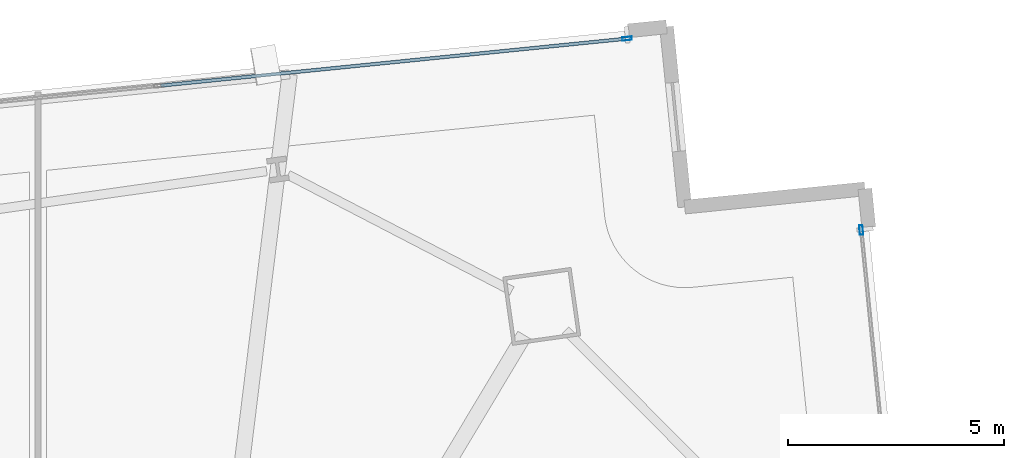
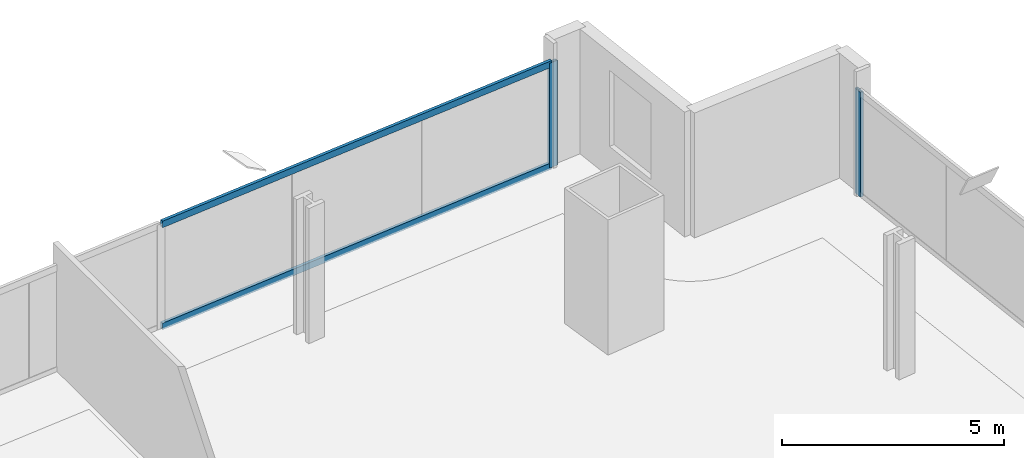
# One storey, part 23 of 33: 4 members, 2 elements without a shape of their own.
"""IFC4 building model written with IfcOpenShell, lengths in metres."""

from ifc_helpers import new_model, si_unit, direction, frame, origin, origin_2d, place, context, subcontext, project, spatial, hollow_rectangle, extrude, material, material_profile, profile_set, type_object, element, aggregate, save


model = new_model("IFC4")

# Units and contexts
model_context = context("Model", 3, precision=1e-05, world=origin(), true_north=direction((0.0, 1.0)))
body_context = subcontext(model_context, "Body", "Model", "MODEL_VIEW")
ifc_project = project(units=[si_unit("LENGTHUNIT", "METRE"), si_unit("AREAUNIT", "SQUARE_METRE"), si_unit("VOLUMEUNIT", "CUBIC_METRE"), si_unit("PLANEANGLEUNIT", "RADIAN"), si_unit("MASSUNIT", "GRAM", prefix="KILO")], contexts=[model_context])

# Site, building, storey
site_placement = place(None, origin())
site = spatial("IfcSite", under=ifc_project, at=site_placement, CompositionType="ELEMENT")
building_placement = place(site_placement, origin())
building = spatial("IfcBuilding", under=site, at=building_placement, Name="Haldenkirk Collegiate Tower", CompositionType="ELEMENT")
storey_placement = place(building_placement, frame((0.0, 0.0, 47.699951171875)))
storey = spatial("IfcBuildingStorey", under=building, at=storey_placement, Name="L10", CompositionType="ELEMENT", Elevation=47.699951171875)

# Curtain wall, member
ifc_material = material(Name="Anodised architectural bronze aluminium", Category="aluminium")
curtain_wall_type = type_object("IfcCurtainWallType", Name="CW-SYS1-CONVEX-LOW", PredefinedType="USERDEFINED", material=ifc_material)
curtain_wall_1_placement = place(storey_placement, origin())
curtain_wall_1 = element("IfcCurtainWall", 1, at=curtain_wall_1_placement, inside=storey, type_object=curtain_wall_type, Name="L10 Lower tower convex bronze-framed unitised curtain wall", ObjectType="UNITISED CURTAIN WALL", PredefinedType="USERDEFINED")
ifc_material_profile_1 = material_profile(ifc_material, hollow_rectangle(XDim=0.080078125, YDim=0.219970703125, WallThickness=0.0048828125, at=origin_2d()), Name="CW-MUL-1A")
ifc_profile_set_1 = profile_set([ifc_material_profile_1], Name="Anodised architectural bronze aluminium")
member_type_1 = type_object("IfcMemberType", Name="CW-MUL-1A", PredefinedType="MULLION", material=ifc_profile_set_1)
member_1_placement = place(storey_placement, frame((60.59521484375, 49.442138671875, 0.0), z_axis=(0.0, 0.0, 1.0), x_axis=(0.99496869257, 0.10018633043, 0.0)))
member_1 = element("IfcMember", 2, at=member_1_placement, type_object=member_type_1, Name="CW-1A mullion 1", PredefinedType="MULLION", context=body_context, shape_type="SweptSolid", body=[
    extrude(hollow_rectangle(XDim=0.080078125, YDim=0.219970703125, WallThickness=0.0048828125, at=origin_2d()), origin(), (0.0, 0.0, 1.0), 2.89111328125),
])
aggregate(curtain_wall_1, [member_1])

# Curtain wall, members
curtain_wall_2_placement = place(storey_placement, origin())
curtain_wall_2 = element("IfcCurtainWall", 3, at=curtain_wall_2_placement, inside=storey, type_object=curtain_wall_type, Name="L10 Lower tower convex bronze-framed unitised curtain wall", ObjectType="UNITISED CURTAIN WALL", PredefinedType="USERDEFINED")
member_2_placement = place(storey_placement, frame((55.1630859375, 53.880126953125, 0.0), z_axis=(0.0, 0.0, 1.0), x_axis=(-0.100187271136, 0.994968597847, 0.0)))
member_2 = element("IfcMember", 4, at=member_2_placement, type_object=member_type_1, Name="CW-1A mullion 5", PredefinedType="MULLION", context=body_context, shape_type="SweptSolid", body=[
    extrude(hollow_rectangle(XDim=0.080078125, YDim=0.219970703125, WallThickness=0.0048828125, at=origin_2d()), origin(), (0.0, 0.0, 1.0), 2.89111328125),
])
ifc_material_profile_2 = material_profile(ifc_material, hollow_rectangle(XDim=0.080078125, YDim=0.179931640625, WallThickness=0.0048828125, at=origin_2d()), Name="CW-TRN-1A")
ifc_profile_set_2 = profile_set([ifc_material_profile_2], Name="Anodised architectural bronze aluminium")
member_type_2 = type_object("IfcMemberType", Name="CW-TRN-1A", PredefinedType="USERDEFINED", material=ifc_profile_set_2)
member_3_placement = place(storey_placement, frame((44.347900390625, 52.791259765625, 0.0400390625), z_axis=(0.994969105895, 0.100182225544, 0.0), x_axis=(-0.100182225544, 0.994969105895, 0.0)))
member_3 = element("IfcMember", 5, at=member_3_placement, type_object=member_type_2, Name="CW-1A transom 4.1", ObjectType="TRANSOM", PredefinedType="USERDEFINED", context=body_context, shape_type="SweptSolid", body=[
    extrude(hollow_rectangle(XDim=0.080078125, YDim=0.179931640625, WallThickness=0.0048828125, at=origin_2d()), origin(), (0.0, 0.0, 1.0), 10.829833984375),
])
member_4_placement = place(storey_placement, frame((44.347900390625, 52.791259765625, 2.85107421875), z_axis=(0.994969105895, 0.100182225544, 0.0), x_axis=(-0.100182225544, 0.994969105895, 0.0)))
member_4 = element("IfcMember", 6, at=member_4_placement, type_object=member_type_2, Name="CW-1A transom 4.2", ObjectType="TRANSOM", PredefinedType="USERDEFINED", context=body_context, shape_type="SweptSolid", body=[
    extrude(hollow_rectangle(XDim=0.080078125, YDim=0.179931640625, WallThickness=0.0048828125, at=origin_2d()), origin(), (0.0, 0.0, 1.0), 10.829833984375),
])
aggregate(curtain_wall_2, [member_2, member_3, member_4])

save(model, "model.ifc")
